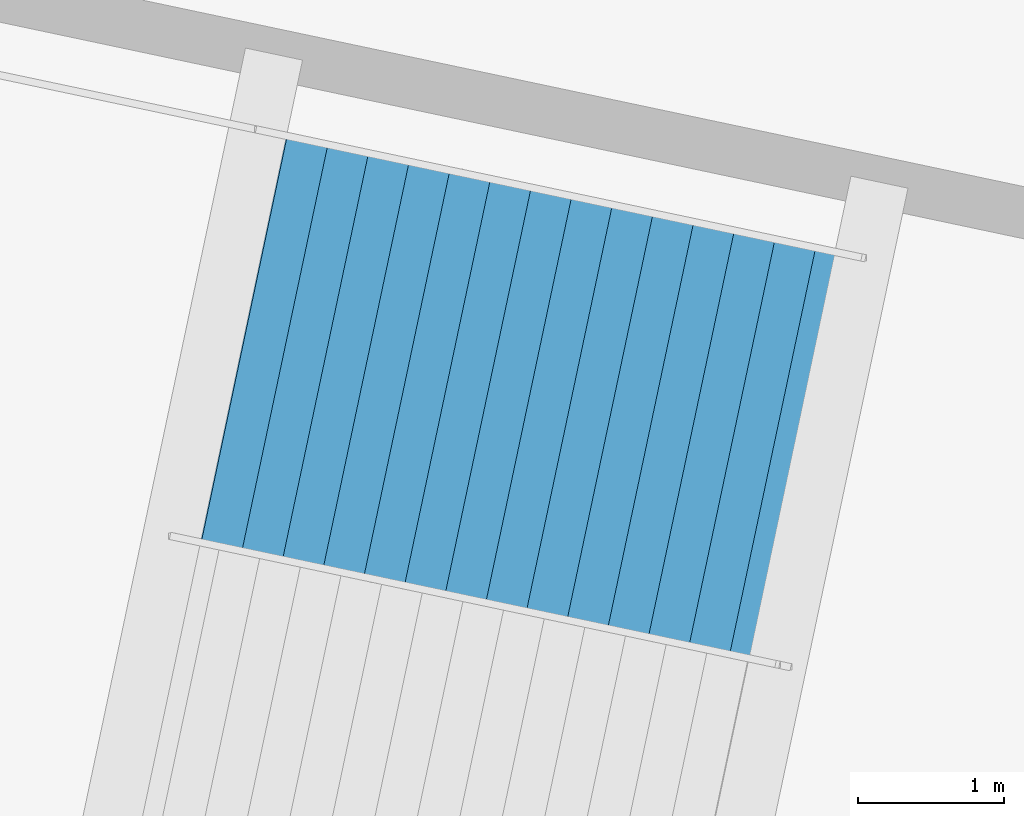
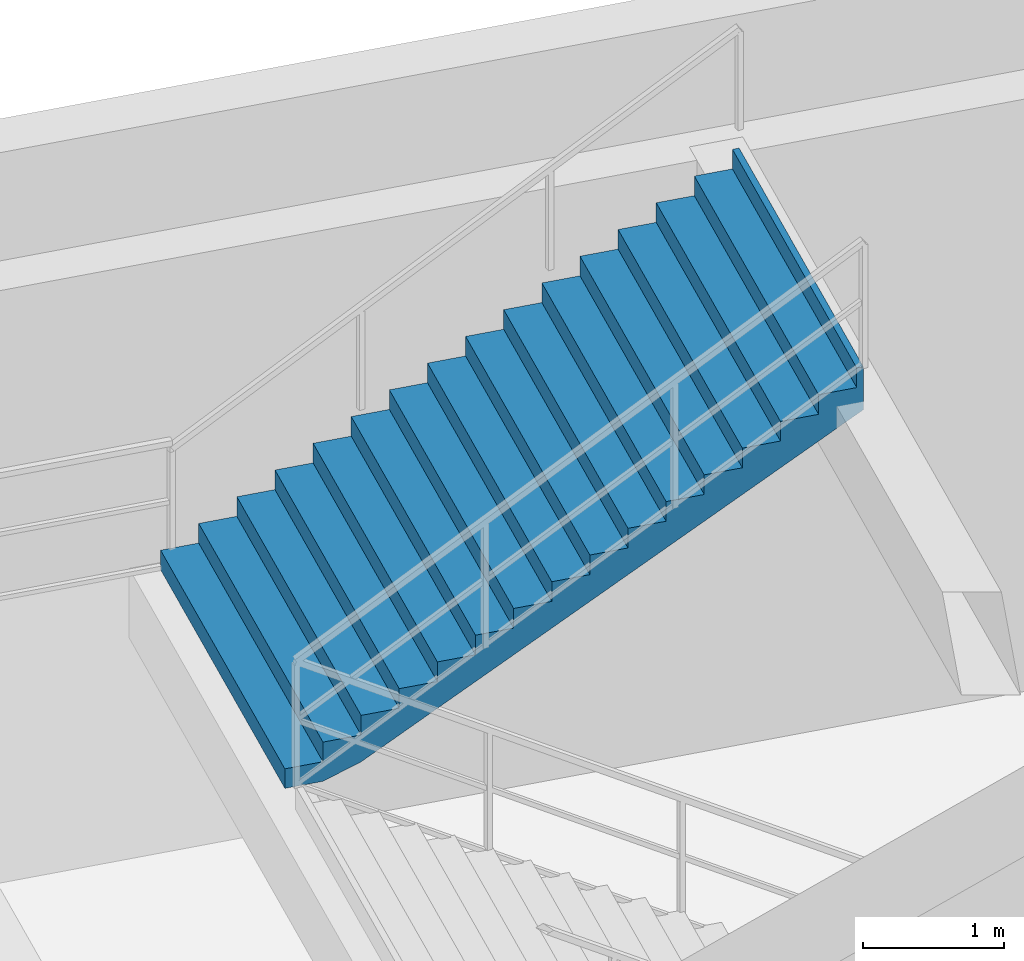
# One storey, part 42 of 49: 1 stair flight, 1 element without a shape of its own.
"""IFC4 building model written with IfcOpenShell, lengths in metres."""

from ifc_helpers import new_model, si_unit, direction, frame, origin, place, context, subcontext, project, spatial, polygons, material, type_object, element, aggregate, save


model = new_model("IFC4")

# Units and contexts
model_context = context("Model", 3, precision=1e-05, world=origin(), true_north=direction((0.0, 1.0)))
body_context = subcontext(model_context, "Body", "Model", "MODEL_VIEW")
ifc_project = project(units=[si_unit("LENGTHUNIT", "METRE"), si_unit("AREAUNIT", "SQUARE_METRE"), si_unit("VOLUMEUNIT", "CUBIC_METRE"), si_unit("PLANEANGLEUNIT", "RADIAN"), si_unit("MASSUNIT", "GRAM", prefix="KILO")], contexts=[model_context])

# Site, building, storey
site_placement = place(None, origin())
site = spatial("IfcSite", under=ifc_project, at=site_placement, CompositionType="ELEMENT")
building_placement = place(site_placement, origin())
building = spatial("IfcBuilding", under=site, at=building_placement, Name="Kazemori Nagisa Stadium", CompositionType="ELEMENT")
storey_placement = place(building_placement, frame((0.0, 0.0, -5.43994140625)))
storey = spatial("IfcBuildingStorey", under=building, at=storey_placement, Name="B1", CompositionType="ELEMENT", Elevation=-5.43994140625)

# Stair, stair flight
ifc_material = material(Name="Concrete C36/45 (Fc36)", Category="concrete")
stair_type = type_object("IfcStairType", Name="Stair_CORE_32", PredefinedType="TWO_STRAIGHT_RUN_STAIR", material=ifc_material)
stair_placement = place(storey_placement, origin())
stair = element("IfcStair", 1, at=stair_placement, inside=storey, type_object=stair_type, Name="Exit stair ST11 B1", PredefinedType="TWO_STRAIGHT_RUN_STAIR")
stair_flight_type = type_object("IfcStairFlightType", Name="Flight_CORE_16", PredefinedType="STRAIGHT", material=ifc_material)
stair_flight_placement = place(storey_placement, frame((154.5322265625, 180.1640625, 2.719970703125), z_axis=(0.0, 0.0, 1.0), x_axis=(0.978350592558, -0.206954386378, 0.0)))
stair_flight = element("IfcStairFlight", 2, at=stair_flight_placement, type_object=stair_flight_type, Name="Exit stair ST11 B1 flight 2", NumberOfRisers=16, NumberOfTreads=15, PredefinedType="STRAIGHT", RiserHeight=0.17, TreadLength=0.285, context=body_context, shape_type="Tessellation", body=[
    polygons([(0.0, -1.425048828125, 0.0), (0.0, -1.425048828125, 0.169921875), (0.284912109375, -1.425048828125, 0.169921875), (0.284912109375, -1.425048828125, 0.340087890625), (0.570068359375, -1.425048828125, 0.340087890625), (0.570068359375, -1.425048828125, 0.510009765625), (0.85498046875, -1.425048828125, 0.510009765625), (0.85498046875, -1.425048828125, 0.679931640625), (1.139892578125, -1.425048828125, 0.679931640625), (1.139892578125, -1.425048828125, 0.85009765625), (1.425048828125, -1.425048828125, 0.85009765625), (1.425048828125, -1.425048828125, 1.02001953125), (1.7099609375, -1.425048828125, 1.02001953125), (1.7099609375, -1.425048828125, 1.18994140625), (1.9951171875, -1.425048828125, 1.18994140625), (1.9951171875, -1.425048828125, 1.360107421875), (2.280029296875, -1.425048828125, 1.360107421875), (2.280029296875, -1.425048828125, 1.530029296875), (2.56494140625, -1.425048828125, 1.530029296875), (2.56494140625, -1.425048828125, 1.699951171875), (2.85009765625, -1.425048828125, 1.699951171875), (2.85009765625, -1.425048828125, 1.8701171875), (3.135009765625, -1.425048828125, 1.8701171875), (3.135009765625, -1.425048828125, 2.0400390625), (3.419921875, -1.425048828125, 2.0400390625), (3.419921875, -1.425048828125, 2.2099609375), (3.705078125, -1.425048828125, 2.2099609375), (3.705078125, -1.425048828125, 2.3798828125), (3.989990234375, -1.425048828125, 2.3798828125), (3.989990234375, -1.425048828125, 2.550048828125), (4.27490234375, -1.425048828125, 2.550048828125), (4.27490234375, -1.425048828125, 2.719970703125), (4.324951171875, -1.425048828125, 2.719970703125), (4.324951171875, -1.425048828125, 2.346923828125), (4.27490234375, -1.425048828125, 2.317138671875), (3.989990234375, -1.425048828125, 2.147216796875), (3.705078125, -1.425048828125, 1.977294921875), (3.419921875, -1.425048828125, 1.80712890625), (3.135009765625, -1.425048828125, 1.63720703125), (2.85009765625, -1.425048828125, 1.46728515625), (2.56494140625, -1.425048828125, 1.297119140625), (2.280029296875, -1.425048828125, 1.127197265625), (1.9951171875, -1.425048828125, 0.957275390625), (1.7099609375, -1.425048828125, 0.787109375), (1.425048828125, -1.425048828125, 0.6171875), (1.139892578125, -1.425048828125, 0.447265625), (0.85498046875, -1.425048828125, 0.277099609375), (0.570068359375, -1.425048828125, 0.107177734375), (0.284912109375, -1.425048828125, 0.0), (0.0, -0.08544921875, 0.0), (0.0, -0.08544921875, 0.169921875), (0.284912109375, -0.08544921875, 0.169921875), (0.284912109375, -0.08544921875, 0.340087890625), (0.570068359375, -0.08544921875, 0.340087890625), (0.570068359375, -0.08544921875, 0.510009765625), (0.85498046875, -0.08544921875, 0.510009765625), (0.85498046875, -0.08544921875, 0.679931640625), (1.139892578125, -0.08544921875, 0.679931640625), (1.139892578125, -0.08544921875, 0.85009765625), (1.425048828125, -0.08544921875, 0.85009765625), (1.425048828125, -0.08544921875, 1.02001953125), (1.7099609375, -0.08544921875, 1.02001953125), (1.7099609375, -0.08544921875, 1.18994140625), (1.9951171875, -0.08544921875, 1.18994140625), (1.9951171875, -0.08544921875, 1.360107421875), (2.280029296875, -0.08544921875, 1.360107421875), (2.280029296875, -0.08544921875, 1.530029296875), (2.56494140625, -0.08544921875, 1.530029296875), (2.56494140625, -0.08544921875, 1.699951171875), (2.85009765625, -0.08544921875, 1.699951171875), (2.85009765625, -0.08544921875, 1.8701171875), (3.135009765625, -0.08544921875, 1.8701171875), (3.135009765625, -0.08544921875, 2.0400390625), (3.419921875, -0.08544921875, 2.0400390625), (3.419921875, -0.08544921875, 2.2099609375), (3.705078125, -0.08544921875, 2.2099609375), (3.705078125, -0.08544921875, 2.3798828125), (3.989990234375, -0.08544921875, 2.3798828125), (3.989990234375, -0.08544921875, 2.550048828125), (4.27490234375, -0.08544921875, 2.550048828125), (4.27490234375, -0.08544921875, 2.719970703125), (4.324951171875, -0.08544921875, 2.719970703125), (4.324951171875, -0.08544921875, 2.346923828125), (4.27490234375, -0.08544921875, 2.317138671875), (3.989990234375, -0.08544921875, 2.147216796875), (3.705078125, -0.08544921875, 1.977294921875), (3.419921875, -0.08544921875, 1.80712890625), (3.135009765625, -0.08544921875, 1.63720703125), (2.85009765625, -0.08544921875, 1.46728515625), (2.56494140625, -0.08544921875, 1.297119140625), (2.280029296875, -0.08544921875, 1.127197265625), (1.9951171875, -0.08544921875, 0.957275390625), (1.7099609375, -0.08544921875, 0.787109375), (1.425048828125, -0.08544921875, 0.6171875), (1.139892578125, -0.08544921875, 0.447265625), (0.85498046875, -0.08544921875, 0.277099609375), (0.570068359375, -0.08544921875, 0.107177734375), (0.284912109375, -0.08544921875, 0.0), (0.0, 0.0, 0.0), (0.0, 0.0, 0.169921875), (0.284912109375, 0.0, 0.169921875), (0.284912109375, 0.0, 0.340087890625), (0.570068359375, 0.0, 0.340087890625), (0.570068359375, 0.0, 0.510009765625), (0.85498046875, 0.0, 0.510009765625), (0.85498046875, 0.0, 0.679931640625), (1.139892578125, 0.0, 0.679931640625), (1.139892578125, 0.0, 0.85009765625), (1.425048828125, 0.0, 0.85009765625), (1.425048828125, 0.0, 1.02001953125), (1.7099609375, 0.0, 1.02001953125), (1.7099609375, 0.0, 1.18994140625), (1.9951171875, 0.0, 1.18994140625), (1.9951171875, 0.0, 1.360107421875), (2.280029296875, 0.0, 1.360107421875), (2.280029296875, 0.0, 1.530029296875), (2.56494140625, 0.0, 1.530029296875), (2.56494140625, 0.0, 1.699951171875), (2.85009765625, 0.0, 1.699951171875), (2.85009765625, 0.0, 1.8701171875), (3.135009765625, 0.0, 1.8701171875), (3.135009765625, 0.0, 2.0400390625), (3.419921875, 0.0, 2.0400390625), (3.419921875, 0.0, 2.2099609375), (3.705078125, 0.0, 2.2099609375), (3.705078125, 0.0, 2.3798828125), (3.989990234375, 0.0, 2.3798828125), (3.989990234375, 0.0, 2.550048828125), (4.27490234375, 0.0, 2.550048828125), (4.27490234375, 0.0, 2.719970703125), (4.324951171875, 0.0, 2.719970703125), (4.324951171875, 0.0, 2.346923828125), (4.27490234375, 0.0, 2.317138671875), (3.989990234375, 0.0, 2.147216796875), (3.705078125, 0.0, 1.977294921875), (3.419921875, 0.0, 1.80712890625), (3.135009765625, 0.0, 1.63720703125), (2.85009765625, 0.0, 1.46728515625), (2.56494140625, 0.0, 1.297119140625), (2.280029296875, 0.0, 1.127197265625), (1.9951171875, 0.0, 0.957275390625), (1.7099609375, 0.0, 0.787109375), (1.425048828125, 0.0, 0.6171875), (1.139892578125, 0.0, 0.447265625), (0.85498046875, 0.0, 0.277099609375), (0.570068359375, 0.0, 0.107177734375), (0.284912109375, 0.0, 0.0), (0.0, 0.08544921875, 0.0), (0.0, 0.08544921875, 0.169921875), (0.284912109375, 0.08544921875, 0.169921875), (0.284912109375, 0.08544921875, 0.340087890625), (0.570068359375, 0.08544921875, 0.340087890625), (0.570068359375, 0.08544921875, 0.510009765625), (0.85498046875, 0.08544921875, 0.510009765625), (0.85498046875, 0.08544921875, 0.679931640625), (1.139892578125, 0.08544921875, 0.679931640625), (1.139892578125, 0.08544921875, 0.85009765625), (1.425048828125, 0.08544921875, 0.85009765625), (1.425048828125, 0.08544921875, 1.02001953125), (1.7099609375, 0.08544921875, 1.02001953125), (1.7099609375, 0.08544921875, 1.18994140625), (1.9951171875, 0.08544921875, 1.18994140625), (1.9951171875, 0.08544921875, 1.360107421875), (2.280029296875, 0.08544921875, 1.360107421875), (2.280029296875, 0.08544921875, 1.530029296875), (2.56494140625, 0.08544921875, 1.530029296875), (2.56494140625, 0.08544921875, 1.699951171875), (2.85009765625, 0.08544921875, 1.699951171875), (2.85009765625, 0.08544921875, 1.8701171875), (3.135009765625, 0.08544921875, 1.8701171875), (3.135009765625, 0.08544921875, 2.0400390625), (3.419921875, 0.08544921875, 2.0400390625), (3.419921875, 0.08544921875, 2.2099609375), (3.705078125, 0.08544921875, 2.2099609375), (3.705078125, 0.08544921875, 2.3798828125), (3.989990234375, 0.08544921875, 2.3798828125), (3.989990234375, 0.08544921875, 2.550048828125), (4.27490234375, 0.08544921875, 2.550048828125), (4.27490234375, 0.08544921875, 2.719970703125), (4.324951171875, 0.08544921875, 2.719970703125), (4.324951171875, 0.08544921875, 2.346923828125), (4.27490234375, 0.08544921875, 2.317138671875), (3.989990234375, 0.08544921875, 2.147216796875), (3.705078125, 0.08544921875, 1.977294921875), (3.419921875, 0.08544921875, 1.80712890625), (3.135009765625, 0.08544921875, 1.63720703125), (2.85009765625, 0.08544921875, 1.46728515625), (2.56494140625, 0.08544921875, 1.297119140625), (2.280029296875, 0.08544921875, 1.127197265625), (1.9951171875, 0.08544921875, 0.957275390625), (1.7099609375, 0.08544921875, 0.787109375), (1.425048828125, 0.08544921875, 0.6171875), (1.139892578125, 0.08544921875, 0.447265625), (0.85498046875, 0.08544921875, 0.277099609375), (0.570068359375, 0.08544921875, 0.107177734375), (0.284912109375, 0.08544921875, 0.0), (0.0, 1.425048828125, 0.0), (0.0, 1.425048828125, 0.169921875), (0.284912109375, 1.425048828125, 0.169921875), (0.284912109375, 1.425048828125, 0.340087890625), (0.570068359375, 1.425048828125, 0.340087890625), (0.570068359375, 1.425048828125, 0.510009765625), (0.85498046875, 1.425048828125, 0.510009765625), (0.85498046875, 1.425048828125, 0.679931640625), (1.139892578125, 1.425048828125, 0.679931640625), (1.139892578125, 1.425048828125, 0.85009765625), (1.425048828125, 1.425048828125, 0.85009765625), (1.425048828125, 1.425048828125, 1.02001953125), (1.7099609375, 1.425048828125, 1.02001953125), (1.7099609375, 1.425048828125, 1.18994140625), (1.9951171875, 1.425048828125, 1.18994140625), (1.9951171875, 1.425048828125, 1.360107421875), (2.280029296875, 1.425048828125, 1.360107421875), (2.280029296875, 1.425048828125, 1.530029296875), (2.56494140625, 1.425048828125, 1.530029296875), (2.56494140625, 1.425048828125, 1.699951171875), (2.85009765625, 1.425048828125, 1.699951171875), (2.85009765625, 1.425048828125, 1.8701171875), (3.135009765625, 1.425048828125, 1.8701171875), (3.135009765625, 1.425048828125, 2.0400390625), (3.419921875, 1.425048828125, 2.0400390625), (3.419921875, 1.425048828125, 2.2099609375), (3.705078125, 1.425048828125, 2.2099609375), (3.705078125, 1.425048828125, 2.3798828125), (3.989990234375, 1.425048828125, 2.3798828125), (3.989990234375, 1.425048828125, 2.550048828125), (4.27490234375, 1.425048828125, 2.550048828125), (4.27490234375, 1.425048828125, 2.719970703125), (4.324951171875, 1.425048828125, 2.719970703125), (4.324951171875, 1.425048828125, 2.346923828125), (4.27490234375, 1.425048828125, 2.317138671875), (3.989990234375, 1.425048828125, 2.147216796875), (3.705078125, 1.425048828125, 1.977294921875), (3.419921875, 1.425048828125, 1.80712890625), (3.135009765625, 1.425048828125, 1.63720703125), (2.85009765625, 1.425048828125, 1.46728515625), (2.56494140625, 1.425048828125, 1.297119140625), (2.280029296875, 1.425048828125, 1.127197265625), (1.9951171875, 1.425048828125, 0.957275390625), (1.7099609375, 1.425048828125, 0.787109375), (1.425048828125, 1.425048828125, 0.6171875), (1.139892578125, 1.425048828125, 0.447265625), (0.85498046875, 1.425048828125, 0.277099609375), (0.570068359375, 1.425048828125, 0.107177734375), (0.284912109375, 1.425048828125, 0.0)], [[[1, 2, 51]], [[1, 51, 50]], [[2, 3, 52]], [[2, 52, 51]], [[3, 4, 53]], [[3, 53, 52]], [[4, 5, 54]], [[4, 54, 53]], [[5, 6, 55]], [[5, 55, 54]], [[6, 7, 56]], [[6, 56, 55]], [[7, 8, 57]], [[7, 57, 56]], [[8, 9, 58]], [[8, 58, 57]], [[9, 10, 59]], [[9, 59, 58]], [[10, 11, 60]], [[10, 60, 59]], [[11, 12, 61]], [[11, 61, 60]], [[12, 13, 62]], [[12, 62, 61]], [[13, 14, 63]], [[13, 63, 62]], [[14, 15, 64]], [[14, 64, 63]], [[15, 16, 65]], [[15, 65, 64]], [[16, 17, 66]], [[16, 66, 65]], [[17, 18, 67]], [[17, 67, 66]], [[18, 19, 68]], [[18, 68, 67]], [[19, 20, 69]], [[19, 69, 68]], [[20, 21, 70]], [[20, 70, 69]], [[21, 22, 71]], [[21, 71, 70]], [[22, 23, 72]], [[22, 72, 71]], [[23, 24, 73]], [[23, 73, 72]], [[24, 25, 74]], [[24, 74, 73]], [[25, 26, 75]], [[25, 75, 74]], [[26, 27, 76]], [[26, 76, 75]], [[27, 28, 77]], [[27, 77, 76]], [[28, 29, 78]], [[28, 78, 77]], [[29, 30, 79]], [[29, 79, 78]], [[30, 31, 80]], [[30, 80, 79]], [[31, 32, 81]], [[31, 81, 80]], [[32, 33, 82]], [[32, 82, 81]], [[33, 34, 83]], [[33, 83, 82]], [[34, 35, 84]], [[34, 84, 83]], [[35, 36, 85]], [[35, 85, 84]], [[36, 37, 86]], [[36, 86, 85]], [[37, 38, 87]], [[37, 87, 86]], [[38, 39, 88]], [[38, 88, 87]], [[39, 40, 89]], [[39, 89, 88]], [[40, 41, 90]], [[40, 90, 89]], [[41, 42, 91]], [[41, 91, 90]], [[42, 43, 92]], [[42, 92, 91]], [[43, 44, 93]], [[43, 93, 92]], [[44, 45, 94]], [[44, 94, 93]], [[45, 46, 95]], [[45, 95, 94]], [[46, 47, 96]], [[46, 96, 95]], [[47, 48, 97]], [[47, 97, 96]], [[48, 49, 98]], [[48, 98, 97]], [[49, 1, 50]], [[49, 50, 98]], [[50, 51, 100]], [[50, 100, 99]], [[51, 52, 101]], [[51, 101, 100]], [[52, 53, 102]], [[52, 102, 101]], [[53, 54, 103]], [[53, 103, 102]], [[54, 55, 104]], [[54, 104, 103]], [[55, 56, 105]], [[55, 105, 104]], [[56, 57, 106]], [[56, 106, 105]], [[57, 58, 107]], [[57, 107, 106]], [[58, 59, 108]], [[58, 108, 107]], [[59, 60, 109]], [[59, 109, 108]], [[60, 61, 110]], [[60, 110, 109]], [[61, 62, 111]], [[61, 111, 110]], [[62, 63, 112]], [[62, 112, 111]], [[63, 64, 113]], [[63, 113, 112]], [[64, 65, 114]], [[64, 114, 113]], [[65, 66, 115]], [[65, 115, 114]], [[66, 67, 116]], [[66, 116, 115]], [[67, 68, 117]], [[67, 117, 116]], [[68, 69, 118]], [[68, 118, 117]], [[69, 70, 119]], [[69, 119, 118]], [[70, 71, 120]], [[70, 120, 119]], [[71, 72, 121]], [[71, 121, 120]], [[72, 73, 122]], [[72, 122, 121]], [[73, 74, 123]], [[73, 123, 122]], [[74, 75, 124]], [[74, 124, 123]], [[75, 76, 125]], [[75, 125, 124]], [[76, 77, 126]], [[76, 126, 125]], [[77, 78, 127]], [[77, 127, 126]], [[78, 79, 128]], [[78, 128, 127]], [[79, 80, 129]], [[79, 129, 128]], [[80, 81, 130]], [[80, 130, 129]], [[81, 82, 131]], [[81, 131, 130]], [[82, 83, 132]], [[82, 132, 131]], [[83, 84, 133]], [[83, 133, 132]], [[84, 85, 134]], [[84, 134, 133]], [[85, 86, 135]], [[85, 135, 134]], [[86, 87, 136]], [[86, 136, 135]], [[87, 88, 137]], [[87, 137, 136]], [[88, 89, 138]], [[88, 138, 137]], [[89, 90, 139]], [[89, 139, 138]], [[90, 91, 140]], [[90, 140, 139]], [[91, 92, 141]], [[91, 141, 140]], [[92, 93, 142]], [[92, 142, 141]], [[93, 94, 143]], [[93, 143, 142]], [[94, 95, 144]], [[94, 144, 143]], [[95, 96, 145]], [[95, 145, 144]], [[96, 97, 146]], [[96, 146, 145]], [[97, 98, 147]], [[97, 147, 146]], [[98, 50, 99]], [[98, 99, 147]], [[99, 100, 149]], [[99, 149, 148]], [[100, 101, 150]], [[100, 150, 149]], [[101, 102, 151]], [[101, 151, 150]], [[102, 103, 152]], [[102, 152, 151]], [[103, 104, 153]], [[103, 153, 152]], [[104, 105, 154]], [[104, 154, 153]], [[105, 106, 155]], [[105, 155, 154]], [[106, 107, 156]], [[106, 156, 155]], [[107, 108, 157]], [[107, 157, 156]], [[108, 109, 158]], [[108, 158, 157]], [[109, 110, 159]], [[109, 159, 158]], [[110, 111, 160]], [[110, 160, 159]], [[111, 112, 161]], [[111, 161, 160]], [[112, 113, 162]], [[112, 162, 161]], [[113, 114, 163]], [[113, 163, 162]], [[114, 115, 164]], [[114, 164, 163]], [[115, 116, 165]], [[115, 165, 164]], [[116, 117, 166]], [[116, 166, 165]], [[117, 118, 167]], [[117, 167, 166]], [[118, 119, 168]], [[118, 168, 167]], [[119, 120, 169]], [[119, 169, 168]], [[120, 121, 170]], [[120, 170, 169]], [[121, 122, 171]], [[121, 171, 170]], [[122, 123, 172]], [[122, 172, 171]], [[123, 124, 173]], [[123, 173, 172]], [[124, 125, 174]], [[124, 174, 173]], [[125, 126, 175]], [[125, 175, 174]], [[126, 127, 176]], [[126, 176, 175]], [[127, 128, 177]], [[127, 177, 176]], [[128, 129, 178]], [[128, 178, 177]], [[129, 130, 179]], [[129, 179, 178]], [[130, 131, 180]], [[130, 180, 179]], [[131, 132, 181]], [[131, 181, 180]], [[132, 133, 182]], [[132, 182, 181]], [[133, 134, 183]], [[133, 183, 182]], [[134, 135, 184]], [[134, 184, 183]], [[135, 136, 185]], [[135, 185, 184]], [[136, 137, 186]], [[136, 186, 185]], [[137, 138, 187]], [[137, 187, 186]], [[138, 139, 188]], [[138, 188, 187]], [[139, 140, 189]], [[139, 189, 188]], [[140, 141, 190]], [[140, 190, 189]], [[141, 142, 191]], [[141, 191, 190]], [[142, 143, 192]], [[142, 192, 191]], [[143, 144, 193]], [[143, 193, 192]], [[144, 145, 194]], [[144, 194, 193]], [[145, 146, 195]], [[145, 195, 194]], [[146, 147, 196]], [[146, 196, 195]], [[147, 99, 148]], [[147, 148, 196]], [[148, 149, 198]], [[148, 198, 197]], [[149, 150, 199]], [[149, 199, 198]], [[150, 151, 200]], [[150, 200, 199]], [[151, 152, 201]], [[151, 201, 200]], [[152, 153, 202]], [[152, 202, 201]], [[153, 154, 203]], [[153, 203, 202]], [[154, 155, 204]], [[154, 204, 203]], [[155, 156, 205]], [[155, 205, 204]], [[156, 157, 206]], [[156, 206, 205]], [[157, 158, 207]], [[157, 207, 206]], [[158, 159, 208]], [[158, 208, 207]], [[159, 160, 209]], [[159, 209, 208]], [[160, 161, 210]], [[160, 210, 209]], [[161, 162, 211]], [[161, 211, 210]], [[162, 163, 212]], [[162, 212, 211]], [[163, 164, 213]], [[163, 213, 212]], [[164, 165, 214]], [[164, 214, 213]], [[165, 166, 215]], [[165, 215, 214]], [[166, 167, 216]], [[166, 216, 215]], [[167, 168, 217]], [[167, 217, 216]], [[168, 169, 218]], [[168, 218, 217]], [[169, 170, 219]], [[169, 219, 218]], [[170, 171, 220]], [[170, 220, 219]], [[171, 172, 221]], [[171, 221, 220]], [[172, 173, 222]], [[172, 222, 221]], [[173, 174, 223]], [[173, 223, 222]], [[174, 175, 224]], [[174, 224, 223]], [[175, 176, 225]], [[175, 225, 224]], [[176, 177, 226]], [[176, 226, 225]], [[177, 178, 227]], [[177, 227, 226]], [[178, 179, 228]], [[178, 228, 227]], [[179, 180, 229]], [[179, 229, 228]], [[180, 181, 230]], [[180, 230, 229]], [[181, 182, 231]], [[181, 231, 230]], [[182, 183, 232]], [[182, 232, 231]], [[183, 184, 233]], [[183, 233, 232]], [[184, 185, 234]], [[184, 234, 233]], [[185, 186, 235]], [[185, 235, 234]], [[186, 187, 236]], [[186, 236, 235]], [[187, 188, 237]], [[187, 237, 236]], [[188, 189, 238]], [[188, 238, 237]], [[189, 190, 239]], [[189, 239, 238]], [[190, 191, 240]], [[190, 240, 239]], [[191, 192, 241]], [[191, 241, 240]], [[192, 193, 242]], [[192, 242, 241]], [[193, 194, 243]], [[193, 243, 242]], [[194, 195, 244]], [[194, 244, 243]], [[195, 196, 245]], [[195, 245, 244]], [[196, 148, 197]], [[196, 197, 245]], [[3, 2, 1]], [[197, 198, 199]], [[49, 3, 1]], [[197, 199, 245]], [[48, 3, 49]], [[245, 199, 244]], [[5, 3, 48]], [[244, 199, 201]], [[5, 4, 3]], [[199, 200, 201]], [[47, 5, 48]], [[244, 201, 243]], [[7, 5, 47]], [[243, 201, 203]], [[7, 6, 5]], [[201, 202, 203]], [[46, 7, 47]], [[243, 203, 242]], [[9, 7, 46]], [[242, 203, 205]], [[9, 8, 7]], [[203, 204, 205]], [[45, 9, 46]], [[242, 205, 241]], [[11, 9, 45]], [[241, 205, 207]], [[11, 10, 9]], [[205, 206, 207]], [[44, 11, 45]], [[241, 207, 240]], [[13, 11, 44]], [[240, 207, 209]], [[13, 12, 11]], [[207, 208, 209]], [[43, 13, 44]], [[240, 209, 239]], [[15, 13, 43]], [[239, 209, 211]], [[15, 14, 13]], [[209, 210, 211]], [[42, 15, 43]], [[239, 211, 238]], [[17, 15, 42]], [[238, 211, 213]], [[17, 16, 15]], [[211, 212, 213]], [[41, 17, 42]], [[238, 213, 237]], [[19, 17, 41]], [[237, 213, 215]], [[19, 18, 17]], [[213, 214, 215]], [[40, 19, 41]], [[237, 215, 236]], [[21, 19, 40]], [[236, 215, 217]], [[21, 20, 19]], [[215, 216, 217]], [[39, 21, 40]], [[236, 217, 235]], [[23, 21, 39]], [[235, 217, 219]], [[23, 22, 21]], [[217, 218, 219]], [[38, 23, 39]], [[235, 219, 234]], [[25, 23, 38]], [[234, 219, 221]], [[25, 24, 23]], [[219, 220, 221]], [[37, 25, 38]], [[234, 221, 233]], [[27, 25, 37]], [[233, 221, 223]], [[27, 26, 25]], [[221, 222, 223]], [[36, 27, 37]], [[233, 223, 232]], [[29, 27, 36]], [[232, 223, 225]], [[29, 28, 27]], [[223, 224, 225]], [[35, 29, 36]], [[232, 225, 231]], [[31, 29, 35]], [[231, 225, 227]], [[31, 30, 29]], [[225, 226, 227]], [[34, 31, 35]], [[231, 227, 230]], [[33, 31, 34]], [[230, 227, 229]], [[33, 32, 31]], [[227, 228, 229]]], closed=True),
])
aggregate(stair, [stair_flight])

save(model, "model.ifc")
